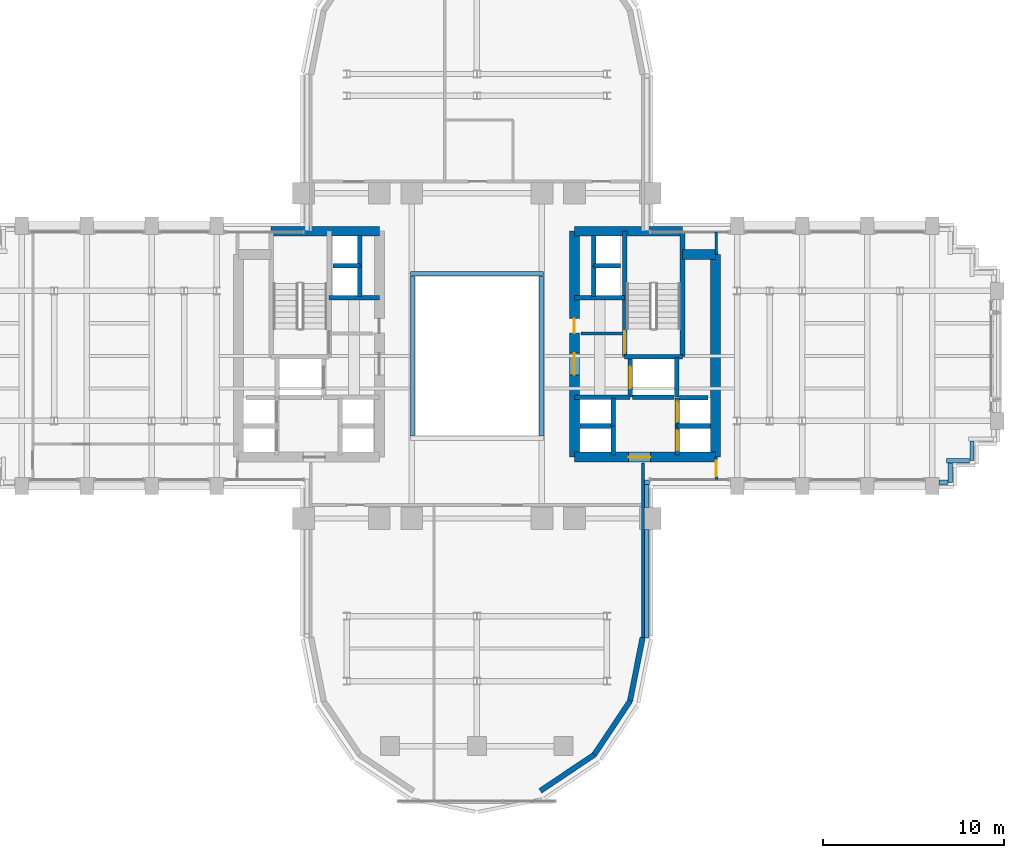
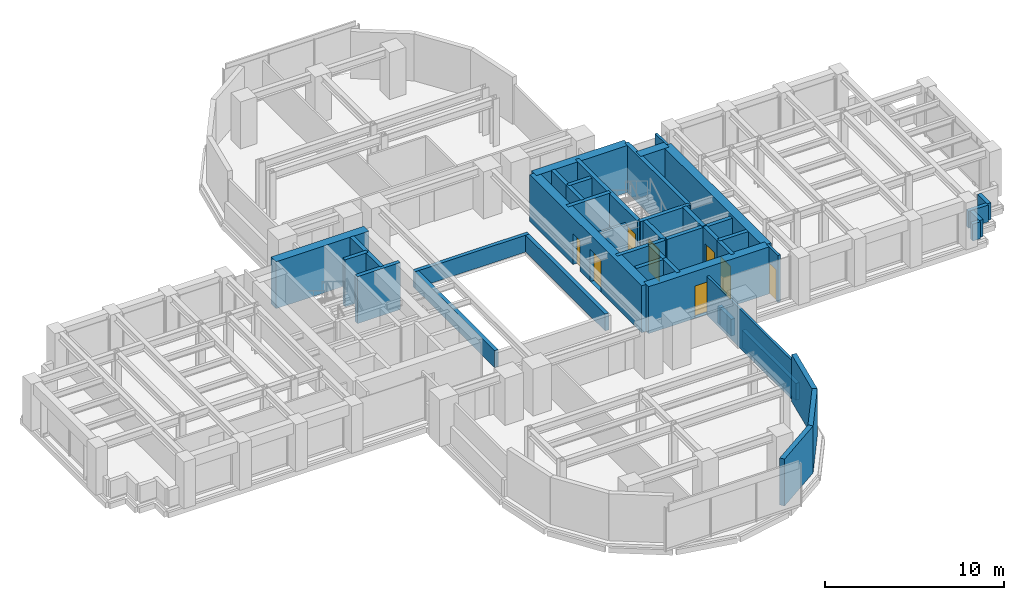
# One storey, part 11 of 16: 45 walls, 8 doors, 8 openings.
"""IFC4 building model written with IfcOpenShell, lengths in metres."""

from ifc_helpers import new_model, si_unit, direction, frame, frame_2d, origin, place, context, subcontext, project, spatial, rectangle, extrude, source, transform, mapped, material, layer, layer_set, type_object, element, fill, save


model = new_model("IFC4")

# Units and contexts
model_context = context("Model", 3, precision=1e-05, world=origin(), true_north=direction((0.0, 1.0)))
body_context = subcontext(model_context, "Body", "Model", "MODEL_VIEW")
ifc_project = project(units=[si_unit("LENGTHUNIT", "METRE"), si_unit("AREAUNIT", "SQUARE_METRE"), si_unit("VOLUMEUNIT", "CUBIC_METRE"), si_unit("PLANEANGLEUNIT", "RADIAN"), si_unit("MASSUNIT", "GRAM", prefix="KILO")], contexts=[model_context])

# Site, building, storey
site_placement = place(None, origin())
site = spatial("IfcSite", under=ifc_project, at=site_placement, CompositionType="ELEMENT")
building_placement = place(site_placement, origin())
building = spatial("IfcBuilding", under=site, at=building_placement, Name="Keilestroom Media Tower", CompositionType="ELEMENT")
storey_placement = place(building_placement, frame((0.0, 0.0, 37.39990234375)))
storey = spatial("IfcBuildingStorey", under=building, at=storey_placement, Name="L08", CompositionType="ELEMENT", Elevation=37.39990234375)

# Walls
ifc_material_1 = material(Name="Precast concrete C40/50", Category="concrete")
ifc_layer_1 = layer(ifc_material_1, 0.300048828125)
ifc_layer_set_1 = layer_set([ifc_layer_1], Name="Precast concrete C40/50")
wall_type_1 = type_object("IfcWallType", Name="Exterior-Masonry-Spandrel-Wall-300", PredefinedType="SOLIDWALL", material=ifc_layer_set_1)
wall_1_placement = place(storey_placement, frame((3.510009765625, -24.073486328125, 0.0), z_axis=(0.0, 0.0, 1.0), x_axis=(0.8314749531, 0.555562239868, 0.0)))
element("IfcWall", 1, at=wall_1_placement, inside=storey, type_object=wall_type_1, Name="L08 Lobe Facet Precast Frame Wall 10", PredefinedType="SOLIDWALL", context=body_context, shape_type="SweptSolid", body=[
    extrude(rectangle(XDim=3.59326171875, YDim=0.300048828125, at=frame_2d((1.796630859375, 0.0))), origin(), (0.0, 0.0, 1.0), 3.2001953125),
])
for number, where, z_axis, x_axis, name in (
    (2, (6.47705078125, -22.097900390625, 0.0), (0.0, 0.0, 1.0), (0.555574187116, 0.831466970246, 0.0), "L08 Lobe Facet Precast Frame Wall 11"),
    (3, (8.470703125, -19.12451171875, 0.0), (0.0, 0.0, 1.0), (0.195114232679, 0.980780523974, 0.0), "L08 Lobe Facet Precast Frame Wall 12"),
):
    element("IfcWall", number, at=place(storey_placement, frame(where, z_axis=z_axis, x_axis=x_axis)), inside=storey, type_object=wall_type_1, Name=name, PredefinedType="SOLIDWALL", context=body_context, shape_type="SweptSolid", body=[
        extrude(rectangle(XDim=3.608642578125, YDim=0.300048828125, at=frame_2d((1.80419921875, 0.0))), origin(), (0.0, 0.0, 1.0), 3.2001953125),
    ])
ifc_material_2 = material(Name="Gypsum Plasterboard & Steel Stud", Category="steel")
ifc_layer_2 = layer(ifc_material_2, 0.14990234375)
ifc_layer_set_2 = layer_set([ifc_layer_2], Name="Gypsum Plasterboard & Steel Stud")
wall_type_2 = type_object("IfcWallType", Name="Interior-Partition-Wall-150", PredefinedType="PARTITIONING", material=ifc_layer_set_2)
wall_2_placement = place(storey_placement, frame((5.75, 1.239990234375, 0.0), z_axis=(0.0, 0.0, 1.0), x_axis=(1.0, 0.0, 0.0)))
element("IfcWall", 4, at=wall_2_placement, inside=storey, type_object=wall_type_2, Name="L08 Interior Wall WP-L08-FFE-TOP", PredefinedType="PARTITIONING", context=body_context, shape_type="SweptSolid", body=[
    extrude(rectangle(XDim=2.389892578125, YDim=0.14990234375, at=frame_2d((1.19482421875, 0.0))), origin(), (0.0, 0.0, 1.0), 2.300048828125),
])
wall_3_placement = place(storey_placement, frame((9.199951171875, -15.679931640625, 0.0), z_axis=(0.0, 0.0, 1.0), x_axis=(0.0, 1.0, 0.0)))
element("IfcWall", 5, at=wall_3_placement, inside=storey, type_object=wall_type_2, Name="L08 Interior Wall WP-L08-SL-CHKE", PredefinedType="PARTITIONING", context=body_context, shape_type="SweptSolid", body=[
    extrude(rectangle(XDim=9.739990234375, YDim=0.14990234375, at=frame_2d((4.8701171875, 0.0))), origin(), (0.0, 0.0, 1.0), 2.650146484375),
])
wall_4_placement = place(storey_placement, frame((13.260009765625, 5.60009765625, 0.0), z_axis=(0.0, 0.0, 1.0), x_axis=(-0.016013571389, 0.999871774545, 0.0)))
element("IfcWall", 6, at=wall_4_placement, inside=storey, type_object=wall_type_2, Name="L08 Interior Wall WP-L08-EA-ENTN", PredefinedType="PARTITIONING", context=body_context, shape_type="SweptSolid", body=[
    extrude(rectangle(XDim=1.250244140625, YDim=0.14990234375, at=frame_2d((0.625, 0.0))), origin(), (0.0, 0.0, 1.0), 3.2001953125),
])

# Wall, opening, door
wall_5_placement = place(storey_placement, frame((13.260009765625, -6.85009765625, 0.0), z_axis=(0.0, 0.0, 1.0), x_axis=(-0.016013571389, 0.999871774545, 0.0)))
wall_5 = element("IfcWall", 7, at=wall_5_placement, inside=storey, type_object=wall_type_2, Name="L08 Interior Wall WP-L08-EA-ENTS", PredefinedType="PARTITIONING", context=body_context, shape_type="SweptSolid", body=[
    extrude(rectangle(XDim=1.250244140625, YDim=0.14990234375, at=frame_2d((0.625, 0.0))), origin(), (0.0, 0.0, 1.0), 3.2001953125),
])
opening_1_placement = place(wall_5_placement, frame((0.199951171875, 0.0, 0.0)))
opening_1 = element("IfcOpeningElement", 8, at=opening_1_placement, cuts=wall_5, Name="Opening DI-05", PredefinedType="OPENING", context=body_context, shape_type="SweptSolid", body=[
    extrude(rectangle(XDim=0.85009765625, YDim=2.10009765625, at=frame_2d((0.425048828125, 1.050048828125))), frame((0.0, 0.0849609375, 0.0), z_axis=(0.0, -1.0, 0.0), x_axis=(1.0, 0.0, 0.0)), (0.0, 0.0, 1.0), 0.169921875),
])
ifc_material_3 = material(Name="Moisture-Resistant Oak Leaf", Category="wood")
door_type_1 = type_object("IfcDoorType", Name="Interior-En-Suite-And-Cupboard-Door-DI-05", OperationType="NOTDEFINED", PredefinedType="DOOR", material=ifc_material_3)
shared_shape_1 = source(origin(), body_context, "Body", "SweptSolid", [
    extrude(rectangle(XDim=0.85009765625, YDim=2.10009765625, at=frame_2d((0.425048828125, 1.050048828125))), frame((0.0, 0.02490234375, 0.0), z_axis=(0.0, -1.0, 0.0), x_axis=(1.0, 0.0, 0.0)), (0.0, 0.0, 1.0), 0.050048828125),
])
door_1_placement = place(opening_1_placement, origin())
door_1 = element("IfcDoor", 9, at=door_1_placement, inside=storey, type_object=door_type_1, Name="L08 Interior Door DI-L08-DEA-S", OperationType="SINGLE_SWING_RIGHT", OverallHeight=2.10009765625, OverallWidth=0.85009765625, PredefinedType="DOOR", context=body_context, shape_type="MappedRepresentation", body=[
    mapped(shared_shape_1, transform((0.0, 0.0, 0.0), x_axis=(1.0, 0.0, 0.0), y_axis=(0.0, 1.0, 0.0), z_axis=(0.0, 0.0, 1.0), scale=1.0)),
])
fill(opening_1, door_1)

# Walls
ifc_material_4 = material(Name="Concrete C70/85", Category="concrete")
ifc_layer_3 = layer(ifc_material_4, 0.550048828125)
ifc_layer_set_3 = layer_set([ifc_layer_3], Name="Concrete C70/85")
wall_type_3 = type_object("IfcWallType", Name="Reinforced-Concrete-Core-Shear-Wall-550", PredefinedType="SHEAR", material=ifc_layer_set_3)
wall_6_placement = place(storey_placement, frame((-11.381103515625, 6.89990234375, 0.0), z_axis=(0.0, 0.0, 1.0), x_axis=(1.0, 0.0, 0.0)))
element("IfcWall", 10, at=wall_6_placement, inside=storey, type_object=wall_type_3, Name="L08 Core Shear Wall WL-L08-CORE-W-N", PredefinedType="SHEAR", context=body_context, shape_type="SweptSolid", body=[
    extrude(rectangle(XDim=5.981201171875, YDim=0.550048828125, at=frame_2d((2.99072265625, 0.0))), origin(), (0.0, 0.0, 1.0), 3.2001953125),
])
wall_7_placement = place(storey_placement, frame((13.199951171875, -5.60009765625, 0.0), z_axis=(0.0, 0.0, 1.0), x_axis=(0.0, 1.0, 0.0)))
element("IfcWall", 11, at=wall_7_placement, inside=storey, type_object=wall_type_3, Name="L08 Core Shear Wall WL-L08-CORE-E-OUT", PredefinedType="SHEAR", context=body_context, shape_type="SweptSolid", body=[
    extrude(rectangle(XDim=11.2001953125, YDim=0.550048828125, at=frame_2d((5.60009765625, 0.0))), origin(), (0.0, 0.0, 1.0), 3.2001953125),
])

# Wall, openings, doors
wall_8_placement = place(storey_placement, frame((5.39990234375, -5.60009765625, 0.0), z_axis=(0.0, 0.0, 1.0), x_axis=(0.0, 1.0, 0.0)))
wall_8 = element("IfcWall", 12, at=wall_8_placement, inside=storey, type_object=wall_type_3, Name="L08 Core Shear Wall WL-L08-CORE-E-IN", PredefinedType="SHEAR", context=body_context, shape_type="SweptSolid", body=[
    extrude(rectangle(XDim=12.5, YDim=0.550048828125, at=frame_2d((6.25, 0.0))), origin(), (0.0, 0.0, 1.0), 3.2001953125),
])
opening_2_placement = place(wall_8_placement, frame((4.550048828125, 0.0, 0.0)))
opening_2 = element("IfcOpeningElement", 13, at=opening_2_placement, cuts=wall_8, Name="Opening DI-02", PredefinedType="OPENING", context=body_context, shape_type="SweptSolid", body=[
    extrude(rectangle(XDim=1.199951171875, YDim=2.199951171875, at=frame_2d((0.60009765625, 1.10009765625))), frame((0.0, 0.28515625, 0.0), z_axis=(0.0, -1.0, 0.0), x_axis=(1.0, 0.0, 0.0)), (0.0, 0.0, 1.0), 0.570068359375),
])
opening_3_placement = place(wall_8_placement, frame((6.860107421875, 0.0, 0.0)))
opening_3 = element("IfcOpeningElement", 14, at=opening_3_placement, cuts=wall_8, Name="Opening DI-06", PredefinedType="OPENING", context=body_context, shape_type="SweptSolid", body=[
    extrude(rectangle(XDim=0.800048828125, YDim=2.10009765625, at=frame_2d((0.39990234375, 1.050048828125))), frame((0.0, 0.28515625, 0.0), z_axis=(0.0, -1.0, 0.0), x_axis=(1.0, 0.0, 0.0)), (0.0, 0.0, 1.0), 0.570068359375),
])
ifc_material_5 = material(Name="Powder-Coated Steel Fire Leaf", Category="steel")
door_type_2 = type_object("IfcDoorType", Name="Interior-Compartment-Fire-Door-DI-02", OperationType="NOTDEFINED", PredefinedType="DOOR", material=ifc_material_5)
shared_shape_2 = source(origin(), body_context, "Body", "SweptSolid", [
    extrude(rectangle(XDim=1.199951171875, YDim=2.199951171875, at=frame_2d((0.60009765625, 1.10009765625))), frame((0.0, 0.02490234375, 0.0), z_axis=(0.0, -1.0, 0.0), x_axis=(1.0, 0.0, 0.0)), (0.0, 0.0, 1.0), 0.050048828125),
])
door_2_placement = place(opening_2_placement, origin())
door_2 = element("IfcDoor", 15, at=door_2_placement, inside=storey, type_object=door_type_2, Name="L08 E Firefighting Lobby Door", OperationType="SINGLE_SWING_LEFT", OverallHeight=2.199951171875, OverallWidth=1.199951171875, PredefinedType="DOOR", context=body_context, shape_type="MappedRepresentation", body=[
    mapped(shared_shape_2, transform((0.0, 0.0, 0.0), x_axis=(1.0, 0.0, 0.0), y_axis=(0.0, 1.0, 0.0), z_axis=(0.0, 0.0, 1.0), scale=1.0)),
])
fill(opening_2, door_2)
ifc_material_6 = material(Name="Powder-Coated Steel Service Leaf", Category="steel")
door_type_3 = type_object("IfcDoorType", Name="Interior-Riser-Access-Door-DI-06", OperationType="NOTDEFINED", PredefinedType="DOOR", material=ifc_material_6)
shared_shape_3 = source(origin(), body_context, "Body", "SweptSolid", [
    extrude(rectangle(XDim=0.800048828125, YDim=2.10009765625, at=frame_2d((0.39990234375, 1.050048828125))), frame((0.0, 0.02490234375, 0.0), z_axis=(0.0, -1.0, 0.0), x_axis=(1.0, 0.0, 0.0)), (0.0, 0.0, 1.0), 0.050048828125),
])
door_3_placement = place(opening_3_placement, origin())
door_3 = element("IfcDoor", 16, at=door_3_placement, inside=storey, type_object=door_type_3, Name="L08 East Core Telecom Door", OperationType="SINGLE_SWING_RIGHT", OverallHeight=2.10009765625, OverallWidth=0.800048828125, PredefinedType="DOOR", context=body_context, shape_type="MappedRepresentation", body=[
    mapped(shared_shape_3, transform((0.0, 0.0, 0.0), x_axis=(1.0, 0.0, 0.0), y_axis=(0.0, 1.0, 0.0), z_axis=(0.0, 0.0, 1.0), scale=1.0)),
])
fill(opening_3, door_3)

# Walls
wall_9_placement = place(storey_placement, frame((5.39990234375, 6.89990234375, 0.0), z_axis=(0.0, 0.0, 1.0), x_axis=(1.0, 0.0, 0.0)))
element("IfcWall", 17, at=wall_9_placement, inside=storey, type_object=wall_type_3, Name="L08 Core Shear Wall WL-L08-CORE-E-N", PredefinedType="SHEAR", context=body_context, shape_type="SweptSolid", body=[
    extrude(rectangle(XDim=5.981201171875, YDim=0.550048828125, at=frame_2d((2.99072265625, 0.0))), origin(), (0.0, 0.0, 1.0), 3.2001953125),
])
wall_10_placement = place(storey_placement, frame((11.381103515625, 5.60009765625, 0.0), z_axis=(0.0, 0.0, 1.0), x_axis=(1.0, 0.0, 0.0)))
element("IfcWall", 18, at=wall_10_placement, inside=storey, type_object=wall_type_3, Name="L08 Core Shear Wall WL-L08-CNE-N", PredefinedType="SHEAR", context=body_context, shape_type="SweptSolid", body=[
    extrude(rectangle(XDim=1.81884765625, YDim=0.550048828125, at=frame_2d((0.909423828125, 0.0))), origin(), (0.0, 0.0, 1.0), 3.2001953125),
])

# Wall, opening, door
wall_11_placement = place(storey_placement, frame((5.39990234375, -5.60009765625, 0.0), z_axis=(0.0, 0.0, 1.0), x_axis=(1.0, 0.0, 0.0)))
wall_11 = element("IfcWall", 19, at=wall_11_placement, inside=storey, type_object=wall_type_3, Name="L08 Core Shear Wall WL-L08-CORE-E-S", PredefinedType="SHEAR", context=body_context, shape_type="SweptSolid", body=[
    extrude(rectangle(XDim=7.800048828125, YDim=0.550048828125, at=frame_2d((3.89990234375, 0.0))), origin(), (0.0, 0.0, 1.0), 3.2001953125),
])
opening_4_placement = place(wall_11_placement, frame((3.0, 0.0, 0.0)))
opening_4 = element("IfcOpeningElement", 20, at=opening_4_placement, cuts=wall_11, Name="Opening DI-02", PredefinedType="OPENING", context=body_context, shape_type="SweptSolid", body=[
    extrude(rectangle(XDim=1.199951171875, YDim=2.199951171875, at=frame_2d((0.60009765625, 1.10009765625))), frame((0.0, 0.28515625, 0.0), z_axis=(0.0, -1.0, 0.0), x_axis=(1.0, 0.0, 0.0)), (0.0, 0.0, 1.0), 0.570068359375),
])
door_4_placement = place(opening_4_placement, origin())
door_4 = element("IfcDoor", 21, at=door_4_placement, inside=storey, type_object=door_type_2, Name="L08 E Passenger Lift Lobby Door", OperationType="SINGLE_SWING_RIGHT", OverallHeight=2.199951171875, OverallWidth=1.199951171875, PredefinedType="DOOR", context=body_context, shape_type="MappedRepresentation", body=[
    mapped(shared_shape_2, transform((0.0, 0.0, 0.0), x_axis=(1.0, 0.0, 0.0), y_axis=(0.0, 1.0, 0.0), z_axis=(0.0, 0.0, 1.0), scale=1.0)),
])
fill(opening_4, door_4)

# Walls
ifc_material_7 = material(Name="Concrete C50/60", Category="concrete")
ifc_layer_4 = layer(ifc_material_7, 0.25)
ifc_layer_set_4 = layer_set([ifc_layer_4], Name="Concrete C50/60")
wall_type_4 = type_object("IfcWallType", Name="Reinforced-Concrete-Shaft-Wall-250", PredefinedType="SOLIDWALL", material=ifc_layer_set_4)
for number, where, z_axis, x_axis, name in (
    (22, (-8.179931640625, 3.219970703125, 0.0), (0.0, 0.0, 1.0), (1.0, 0.0, 0.0), "L08 Core Shear Wall WL-L08-CORE-W-FFN"),
    (23, (5.39990234375, 3.219970703125, 0.0), (0.0, 0.0, 1.0), (1.0, 0.0, 0.0), "L08 Core Shear Wall WL-L08-CORE-E-FFN"),
):
    element("IfcWall", number, at=place(storey_placement, frame(where, z_axis=z_axis, x_axis=x_axis)), inside=storey, type_object=wall_type_4, Name=name, PredefinedType="SOLIDWALL", context=body_context, shape_type="SweptSolid", body=[
        extrude(rectangle(XDim=2.780029296875, YDim=0.25, at=frame_2d((1.39013671875, 0.0))), origin(), (0.0, 0.0, 1.0), 3.2001953125),
    ])
wall_12_placement = place(storey_placement, frame((5.39990234375, -2.300048828125, 0.0), z_axis=(0.0, 0.0, 1.0), x_axis=(1.0, 0.0, 0.0)))
element("IfcWall", 24, at=wall_12_placement, inside=storey, type_object=wall_type_4, Name="L08 Core Shear Wall WL-L08-CORE-E-FFS", PredefinedType="SOLIDWALL", context=body_context, shape_type="SweptSolid", body=[
    extrude(rectangle(XDim=3.080078125, YDim=0.25, at=frame_2d((1.5400390625, 0.0))), origin(), (0.0, 0.0, 1.0), 3.2001953125),
])

# Wall, opening, door
wall_13_placement = place(storey_placement, frame((8.178955078125, -0.041015625, 0.0), z_axis=(0.0, 0.0, 1.0), x_axis=(0.0, 1.0, 0.0)))
wall_13 = element("IfcWall", 25, at=wall_13_placement, inside=storey, type_object=wall_type_4, Name="L08 Core Shear Wall WL-L08-STW-E-NEAR", PredefinedType="SOLIDWALL", context=body_context, shape_type="SweptSolid", body=[
    extrude(rectangle(XDim=6.94091796875, YDim=0.25, at=frame_2d((3.470458984375, 0.0))), origin(), (0.0, 0.0, 1.0), 3.2001953125),
])
opening_5_placement = place(wall_13_placement, frame((0.199951171875, 0.0, 0.0)))
opening_5 = element("IfcOpeningElement", 26, at=opening_5_placement, cuts=wall_13, Name="Opening DI-01S", PredefinedType="OPENING", context=body_context, shape_type="SweptSolid", body=[
    extrude(rectangle(XDim=1.199951171875, YDim=2.199951171875, at=frame_2d((0.60009765625, 1.10009765625))), frame((0.0, 0.135009765625, 0.0), z_axis=(0.0, -1.0, 0.0), x_axis=(1.0, 0.0, 0.0)), (0.0, 0.0, 1.0), 0.27001953125),
])
door_type_4 = type_object("IfcDoorType", Name="Interior-Stair-And-Core-Fire-Door-DI-01", OperationType="NOTDEFINED", PredefinedType="DOOR", material=ifc_material_5)
door_5_placement = place(opening_5_placement, origin())
door_5 = element("IfcDoor", 27, at=door_5_placement, inside=storey, type_object=door_type_4, Name="L08 Escape Stair ST-2 Fire Door", OperationType="SINGLE_SWING_RIGHT", OverallHeight=2.199951171875, OverallWidth=1.199951171875, PredefinedType="DOOR", context=body_context, shape_type="MappedRepresentation", body=[
    mapped(shared_shape_2, transform((0.0, 0.0, 0.0), x_axis=(1.0, 0.0, 0.0), y_axis=(0.0, 1.0, 0.0), z_axis=(0.0, 0.0, 1.0), scale=1.0)),
])
fill(opening_5, door_5)

# Walls
wall_14_placement = place(storey_placement, frame((11.381103515625, -0.041015625, 0.0), z_axis=(0.0, 0.0, 1.0), x_axis=(0.0, 1.0, 0.0)))
element("IfcWall", 28, at=wall_14_placement, inside=storey, type_object=wall_type_4, Name="L08 Core Shear Wall WL-L08-STW-E-FAR", PredefinedType="SOLIDWALL", context=body_context, shape_type="SweptSolid", body=[
    extrude(rectangle(XDim=6.94091796875, YDim=0.25, at=frame_2d((3.470458984375, 0.0))), origin(), (0.0, 0.0, 1.0), 3.2001953125),
])
wall_15_placement = place(storey_placement, frame((8.178955078125, -0.041015625, 0.0), z_axis=(0.0, 0.0, 1.0), x_axis=(1.0, 0.0, 0.0)))
element("IfcWall", 29, at=wall_15_placement, inside=storey, type_object=wall_type_4, Name="L08 Core Shear Wall WL-L08-STW-E-S", PredefinedType="SOLIDWALL", context=body_context, shape_type="SweptSolid", body=[
    extrude(rectangle(XDim=3.2021484375, YDim=0.25, at=frame_2d((1.60107421875, 0.0))), origin(), (0.0, 0.0, 1.0), 3.2001953125),
])

# Wall, opening, door
wall_16_placement = place(storey_placement, frame((8.47998046875, -2.280029296875, 0.0), z_axis=(0.0, 0.0, 1.0), x_axis=(0.0, 1.0, 0.0)))
wall_16 = element("IfcWall", 30, at=wall_16_placement, inside=storey, type_object=wall_type_4, Name="L08 Core Shear Wall WL-L08-LSH-FFL-2-W", PredefinedType="SOLIDWALL", context=body_context, shape_type="SweptSolid", body=[
    extrude(rectangle(XDim=2.179931640625, YDim=0.25, at=frame_2d((1.08984375, 0.0))), origin(), (0.0, 0.0, 1.0), 3.2001953125),
])
opening_6_placement = place(wall_16_placement, frame((0.489990234375, 0.0, 0.0)))
opening_6 = element("IfcOpeningElement", 31, at=opening_6_placement, cuts=wall_16, Name="Opening LD-02", PredefinedType="OPENING", context=body_context, shape_type="SweptSolid", body=[
    extrude(rectangle(XDim=1.199951171875, YDim=2.199951171875, at=frame_2d((0.60009765625, 1.10009765625))), frame((0.0, 0.135009765625, 0.0), z_axis=(0.0, -1.0, 0.0), x_axis=(1.0, 0.0, 0.0)), (0.0, 0.0, 1.0), 0.27001953125),
])
ifc_material_8 = material(Name="Brushed Stainless Steel Sliding Leaf", Category="steel")
door_type_5 = type_object("IfcDoorType", Name="Lift-Landing-Sliding-Door-LD-02", OperationType="SLIDING_TO_RIGHT", PredefinedType="DOOR", material=ifc_material_8)
door_6_placement = place(opening_6_placement, origin())
door_6 = element("IfcDoor", 32, at=door_6_placement, inside=storey, type_object=door_type_5, Name="L08 Lift FFL-2 Landing Sliding Door", OperationType="SLIDING_TO_RIGHT", OverallHeight=2.199951171875, OverallWidth=1.199951171875, PredefinedType="DOOR", context=body_context, shape_type="MappedRepresentation", body=[
    mapped(shared_shape_2, transform((0.0, 0.0, 0.0), x_axis=(1.0, 0.0, 0.0), y_axis=(0.0, 1.0, 0.0), z_axis=(0.0, 0.0, 1.0), scale=1.0)),
])
fill(opening_6, door_6)

# Walls
wall_17_placement = place(storey_placement, frame((11.050048828125, -2.280029296875, 0.0), z_axis=(0.0, 0.0, 1.0), x_axis=(0.0, 1.0, 0.0)))
element("IfcWall", 33, at=wall_17_placement, inside=storey, type_object=wall_type_4, Name="L08 Core Shear Wall WL-L08-LSH-FFL-2-E", PredefinedType="SOLIDWALL", context=body_context, shape_type="SweptSolid", body=[
    extrude(rectangle(XDim=2.179931640625, YDim=0.25, at=frame_2d((1.08984375, 0.0))), origin(), (0.0, 0.0, 1.0), 3.2001953125),
])
wall_18_placement = place(storey_placement, frame((8.60888671875, -2.280029296875, 0.0), z_axis=(0.0, 0.0, 1.0), x_axis=(1.0, 0.0, 0.0)))
element("IfcWall", 34, at=wall_18_placement, inside=storey, type_object=wall_type_4, Name="L08 Core Shear Wall WL-L08-LSH-FFL-2-S", PredefinedType="SOLIDWALL", context=body_context, shape_type="SweptSolid", body=[
    extrude(rectangle(XDim=2.31201171875, YDim=0.25, at=frame_2d((1.156005859375, 0.0))), origin(), (0.0, 0.0, 1.0), 3.2001953125),
])

# Wall, opening, door
wall_19_placement = place(storey_placement, frame((11.080078125, -5.47998046875, 0.0), z_axis=(0.0, 0.0, 1.0), x_axis=(0.0, 1.0, 0.0)))
wall_19 = element("IfcWall", 35, at=wall_19_placement, inside=storey, type_object=wall_type_4, Name="L08 Core Shear Wall WL-L08-LSH-PL-L3-W", PredefinedType="SOLIDWALL", context=body_context, shape_type="SweptSolid", body=[
    extrude(rectangle(XDim=1.60009765625, YDim=0.25, at=frame_2d((0.800048828125, 0.0))), origin(), (0.0, 0.0, 1.0), 3.2001953125),
])
opening_7_placement = place(wall_19_placement, frame((0.25, 0.0, 0.0)))
opening_7 = element("IfcOpeningElement", 36, at=opening_7_placement, cuts=wall_19, Name="Opening LD-01", PredefinedType="OPENING", context=body_context, shape_type="SweptSolid", body=[
    extrude(rectangle(XDim=1.10009765625, YDim=2.199951171875, at=frame_2d((0.550048828125, 1.10009765625))), frame((0.0, 0.135009765625, 0.0), z_axis=(0.0, -1.0, 0.0), x_axis=(1.0, 0.0, 0.0)), (0.0, 0.0, 1.0), 0.27001953125),
])
door_type_6 = type_object("IfcDoorType", Name="Lift-Landing-Sliding-Door-LD-01", OperationType="SLIDING_TO_LEFT", PredefinedType="DOOR", material=ifc_material_8)
shared_shape_4 = source(origin(), body_context, "Body", "SweptSolid", [
    extrude(rectangle(XDim=1.10009765625, YDim=2.199951171875, at=frame_2d((0.550048828125, 1.10009765625))), frame((0.0, 0.02490234375, 0.0), z_axis=(0.0, -1.0, 0.0), x_axis=(1.0, 0.0, 0.0)), (0.0, 0.0, 1.0), 0.050048828125),
])
door_7_placement = place(opening_7_placement, origin())
door_7 = element("IfcDoor", 37, at=door_7_placement, inside=storey, type_object=door_type_6, Name="L08 Lift PL-L3 Landing Sliding Door", OperationType="SLIDING_TO_LEFT", OverallHeight=2.199951171875, OverallWidth=1.10009765625, PredefinedType="DOOR", context=body_context, shape_type="MappedRepresentation", body=[
    mapped(shared_shape_4, transform((0.0, 0.0, 0.0), x_axis=(1.0, 0.0, 0.0), y_axis=(0.0, 1.0, 0.0), z_axis=(0.0, 0.0, 1.0), scale=1.0)),
])
fill(opening_7, door_7)

# Wall
wall_20_placement = place(storey_placement, frame((11.080078125, -3.8798828125, 0.0), z_axis=(0.0, 0.0, 1.0), x_axis=(1.0, 0.0, 0.0)))
element("IfcWall", 38, at=wall_20_placement, inside=storey, type_object=wall_type_4, Name="L08 Core Shear Wall WL-L08-LSH-PL-L3-N", PredefinedType="SOLIDWALL", context=body_context, shape_type="SweptSolid", body=[
    extrude(rectangle(XDim=1.83984375, YDim=0.25, at=frame_2d((0.919921875, 0.0))), origin(), (0.0, 0.0, 1.0), 3.2001953125),
])

# Wall, opening, door
wall_21_placement = place(storey_placement, frame((11.080078125, -3.8798828125, 0.0), z_axis=(0.0, 0.0, 1.0), x_axis=(0.0, 1.0, 0.0)))
wall_21 = element("IfcWall", 39, at=wall_21_placement, inside=storey, type_object=wall_type_4, Name="L08 Core Shear Wall WL-L08-LSH-PL-L4-W", PredefinedType="SOLIDWALL", context=body_context, shape_type="SweptSolid", body=[
    extrude(rectangle(XDim=1.559814453125, YDim=0.25, at=frame_2d((0.77978515625, 0.0))), origin(), (0.0, 0.0, 1.0), 3.2001953125),
])
opening_8_placement = place(wall_21_placement, frame((0.22998046875, 0.0, 0.0)))
opening_8 = element("IfcOpeningElement", 40, at=opening_8_placement, cuts=wall_21, Name="Opening LD-01", PredefinedType="OPENING", context=body_context, shape_type="SweptSolid", body=[
    extrude(rectangle(XDim=1.10009765625, YDim=2.199951171875, at=frame_2d((0.550048828125, 1.10009765625))), frame((0.0, 0.135009765625, 0.0), z_axis=(0.0, -1.0, 0.0), x_axis=(1.0, 0.0, 0.0)), (0.0, 0.0, 1.0), 0.27001953125),
])
door_8_placement = place(opening_8_placement, origin())
door_8 = element("IfcDoor", 41, at=door_8_placement, inside=storey, type_object=door_type_6, Name="L08 Lift PL-L4 Landing Sliding Door", OperationType="SLIDING_TO_LEFT", OverallHeight=2.199951171875, OverallWidth=1.10009765625, PredefinedType="DOOR", context=body_context, shape_type="MappedRepresentation", body=[
    mapped(shared_shape_4, transform((0.0, 0.0, 0.0), x_axis=(1.0, 0.0, 0.0), y_axis=(0.0, 1.0, 0.0), z_axis=(0.0, 0.0, 1.0), scale=1.0)),
])
fill(opening_8, door_8)

# Walls
wall_22_placement = place(storey_placement, frame((11.208984375, -2.320068359375, 0.0), z_axis=(0.0, 0.0, 1.0), x_axis=(1.0, 0.0, 0.0)))
element("IfcWall", 42, at=wall_22_placement, inside=storey, type_object=wall_type_4, Name="L08 Core Shear Wall WL-L08-LSH-PL-L4-N", PredefinedType="SOLIDWALL", context=body_context, shape_type="SweptSolid", body=[
    extrude(rectangle(XDim=1.58203125, YDim=0.25, at=frame_2d((0.791015625, 0.0))), origin(), (0.0, 0.0, 1.0), 3.2001953125),
])
wall_23_placement = place(storey_placement, frame((7.56005859375, -5.47998046875, 0.0), z_axis=(0.0, 0.0, 1.0), x_axis=(0.0, 1.0, 0.0)))
element("IfcWall", 43, at=wall_23_placement, inside=storey, type_object=wall_type_4, Name="L08 Core Shear Wall WL-L08-LSH-PL-M3-E", PredefinedType="SOLIDWALL", context=body_context, shape_type="SweptSolid", body=[
    extrude(rectangle(XDim=1.60009765625, YDim=0.25, at=frame_2d((0.800048828125, 0.0))), origin(), (0.0, 0.0, 1.0), 3.2001953125),
])
wall_24_placement = place(storey_placement, frame((5.719970703125, -3.8798828125, 0.0), z_axis=(0.0, 0.0, 1.0), x_axis=(1.0, 0.0, 0.0)))
element("IfcWall", 44, at=wall_24_placement, inside=storey, type_object=wall_type_4, Name="L08 Core Shear Wall WL-L08-LSH-PL-M3-N", PredefinedType="SOLIDWALL", context=body_context, shape_type="SweptSolid", body=[
    extrude(rectangle(XDim=1.840087890625, YDim=0.25, at=frame_2d((0.919921875, 0.0))), origin(), (0.0, 0.0, 1.0), 3.2001953125),
])
wall_25_placement = place(storey_placement, frame((7.56005859375, -3.8798828125, 0.0), z_axis=(0.0, 0.0, 1.0), x_axis=(0.0, 1.0, 0.0)))
element("IfcWall", 45, at=wall_25_placement, inside=storey, type_object=wall_type_4, Name="L08 Core Shear Wall WL-L08-LSH-PL-M4-E", PredefinedType="SOLIDWALL", context=body_context, shape_type="SweptSolid", body=[
    extrude(rectangle(XDim=1.559814453125, YDim=0.25, at=frame_2d((0.77978515625, 0.0))), origin(), (0.0, 0.0, 1.0), 3.2001953125),
])
wall_26_placement = place(storey_placement, frame((-6.47998046875, 3.300048828125, 0.0), z_axis=(0.0, 0.0, 1.0), x_axis=(0.0, 1.0, 0.0)))
element("IfcWall", 46, at=wall_26_placement, inside=storey, type_object=wall_type_4, Name="L08 Core Shear Wall WL-L08-LSH-PL-H1-E", PredefinedType="SOLIDWALL", context=body_context, shape_type="SweptSolid", body=[
    extrude(rectangle(XDim=1.679931640625, YDim=0.25, at=frame_2d((0.83984375, 0.0))), origin(), (0.0, 0.0, 1.0), 3.2001953125),
])
wall_27_placement = place(storey_placement, frame((-7.949951171875, 4.97998046875, 0.0), z_axis=(0.0, 0.0, 1.0), x_axis=(1.0, 0.0, 0.0)))
element("IfcWall", 47, at=wall_27_placement, inside=storey, type_object=wall_type_4, Name="L08 Core Shear Wall WL-L08-LSH-PL-H1-N", PredefinedType="SOLIDWALL", context=body_context, shape_type="SweptSolid", body=[
    extrude(rectangle(XDim=1.469970703125, YDim=0.25, at=frame_2d((0.73486328125, 0.0))), origin(), (0.0, 0.0, 1.0), 3.2001953125),
])
wall_28_placement = place(storey_placement, frame((-6.47998046875, 4.97998046875, 0.0), z_axis=(0.0, 0.0, 1.0), x_axis=(0.0, 1.0, 0.0)))
element("IfcWall", 48, at=wall_28_placement, inside=storey, type_object=wall_type_4, Name="L08 Core Shear Wall WL-L08-LSH-PL-H2-E", PredefinedType="SOLIDWALL", context=body_context, shape_type="SweptSolid", body=[
    extrude(rectangle(XDim=1.669921875, YDim=0.25, at=frame_2d((0.8349609375, 0.0))), origin(), (0.0, 0.0, 1.0), 3.2001953125),
])
wall_29_placement = place(storey_placement, frame((6.47998046875, 3.300048828125, 0.0), z_axis=(0.0, 0.0, 1.0), x_axis=(0.0, 1.0, 0.0)))
element("IfcWall", 49, at=wall_29_placement, inside=storey, type_object=wall_type_4, Name="L08 Core Shear Wall WL-L08-LSH-PL-H3-W", PredefinedType="SOLIDWALL", context=body_context, shape_type="SweptSolid", body=[
    extrude(rectangle(XDim=1.679931640625, YDim=0.25, at=frame_2d((0.83984375, 0.0))), origin(), (0.0, 0.0, 1.0), 3.2001953125),
])
wall_30_placement = place(storey_placement, frame((6.47998046875, 4.97998046875, 0.0), z_axis=(0.0, 0.0, 1.0), x_axis=(1.0, 0.0, 0.0)))
element("IfcWall", 50, at=wall_30_placement, inside=storey, type_object=wall_type_4, Name="L08 Core Shear Wall WL-L08-LSH-PL-H3-N", PredefinedType="SOLIDWALL", context=body_context, shape_type="SweptSolid", body=[
    extrude(rectangle(XDim=1.469970703125, YDim=0.25, at=frame_2d((0.73486328125, 0.0))), origin(), (0.0, 0.0, 1.0), 3.2001953125),
])
wall_31_placement = place(storey_placement, frame((6.47998046875, 4.97998046875, 0.0), z_axis=(0.0, 0.0, 1.0), x_axis=(0.0, 1.0, 0.0)))
element("IfcWall", 51, at=wall_31_placement, inside=storey, type_object=wall_type_4, Name="L08 Core Shear Wall WL-L08-LSH-PL-H4-W", PredefinedType="SOLIDWALL", context=body_context, shape_type="SweptSolid", body=[
    extrude(rectangle(XDim=1.669921875, YDim=0.25, at=frame_2d((0.8349609375, 0.0))), origin(), (0.0, 0.0, 1.0), 3.2001953125),
])
ifc_layer_5 = layer(ifc_material_1, 0.239990234375)
ifc_layer_set_5 = layer_set([ifc_layer_5], Name="Precast concrete C40/50")
wall_type_5 = type_object("IfcWallType", Name="Roof-And-Terrace-Parapet-Wall-240", PredefinedType="PARAPET", material=ifc_layer_set_5)
wall_32_placement = place(storey_placement, frame((27.39990234375, -4.722900390625, 0.0), z_axis=(0.0, 0.0, 1.0), x_axis=(0.0, -1.0, 0.0)))
element("IfcWall", 52, at=wall_32_placement, inside=storey, type_object=wall_type_5, Name="L08 Perimeter Edge Parapet Wall 02", PredefinedType="PARAPET", context=body_context, shape_type="SweptSolid", body=[
    extrude(rectangle(XDim=1.0771484375, YDim=0.239990234375, at=frame_2d((0.53857421875, 0.0))), origin(), (0.0, 0.0, 1.0), 1.150146484375),
])
wall_33_placement = place(storey_placement, frame((27.277099609375, -5.800048828125, 0.0), z_axis=(0.0, 0.0, 1.0), x_axis=(-1.0, 0.0, 0.0)))
element("IfcWall", 53, at=wall_33_placement, inside=storey, type_object=wall_type_5, Name="L08 Perimeter Edge Parapet Wall 03", PredefinedType="PARAPET", context=body_context, shape_type="SweptSolid", body=[
    extrude(rectangle(XDim=1.277099609375, YDim=0.239990234375, at=frame_2d((0.638671875, 0.0))), origin(), (0.0, 0.0, 1.0), 1.150146484375),
])
wall_34_placement = place(storey_placement, frame((26.199951171875, -5.923095703125, 0.0), z_axis=(0.0, 0.0, 1.0), x_axis=(0.0, -1.0, 0.0)))
element("IfcWall", 54, at=wall_34_placement, inside=storey, type_object=wall_type_5, Name="L08 Perimeter Edge Parapet Wall 04", PredefinedType="PARAPET", context=body_context, shape_type="SweptSolid", body=[
    extrude(rectangle(XDim=1.076904296875, YDim=0.239990234375, at=frame_2d((0.53857421875, 0.0))), origin(), (0.0, 0.0, 1.0), 1.150146484375),
])
wall_35_placement = place(storey_placement, frame((26.076904296875, -7.0, 0.0), z_axis=(0.0, 0.0, 1.0), x_axis=(-1.0, 0.0, 0.0)))
element("IfcWall", 55, at=wall_35_placement, inside=storey, type_object=wall_type_5, Name="L08 Perimeter Edge Parapet Wall 05", PredefinedType="PARAPET", context=body_context, shape_type="SweptSolid", body=[
    extrude(rectangle(XDim=0.4990234375, YDim=0.239990234375, at=frame_2d((0.24951171875, 0.0))), origin(), (0.0, 0.0, 1.0), 1.150146484375),
])
wall_36_placement = place(storey_placement, frame((9.547119140625, -7.0, 0.0), z_axis=(0.0, 0.0, 1.0), x_axis=(-1.0, 0.0, 0.0)))
element("IfcWall", 56, at=wall_36_placement, inside=storey, type_object=wall_type_5, Name="L08 Perimeter Edge Parapet Wall 06", PredefinedType="PARAPET", context=body_context, shape_type="SweptSolid", body=[
    extrude(rectangle(XDim=0.26904296875, YDim=0.239990234375, at=frame_2d((0.134521484375, 0.0))), origin(), (0.0, 0.0, 1.0), 1.150146484375),
])
wall_37_placement = place(storey_placement, frame((9.39990234375, -7.123046875, 0.0), z_axis=(0.0, 0.0, 1.0), x_axis=(0.0, -1.0, 0.0)))
element("IfcWall", 57, at=wall_37_placement, inside=storey, type_object=wall_type_5, Name="L08 Perimeter Edge Parapet Wall 07", PredefinedType="PARAPET", context=body_context, shape_type="SweptSolid", body=[
    extrude(rectangle(XDim=1.27392578125, YDim=0.239990234375, at=frame_2d((0.636962890625, 0.0))), origin(), (0.0, 0.0, 1.0), 1.150146484375),
])
wall_38_placement = place(storey_placement, frame((9.39990234375, -9.60302734375, 0.0), z_axis=(0.0, 0.0, 1.0), x_axis=(0.0, -1.0, 0.0)))
element("IfcWall", 58, at=wall_38_placement, inside=storey, type_object=wall_type_5, Name="L08 Perimeter Edge Parapet Wall 08", PredefinedType="PARAPET", context=body_context, shape_type="SweptSolid", body=[
    extrude(rectangle(XDim=5.999755859375, YDim=0.239990234375, at=frame_2d((3.0, 0.0))), origin(), (0.0, 0.0, 1.0), 1.150146484375),
])
wall_39_placement = place(storey_placement, frame((-3.679931640625, 4.56005859375, 0.0), z_axis=(0.0, 0.0, 1.0), x_axis=(1.0, 0.0, 0.0)))
element("IfcWall", 59, at=wall_39_placement, inside=storey, type_object=wall_type_5, Name="L08 Central Atrium Guard Parapet N", PredefinedType="PARAPET", context=body_context, shape_type="SweptSolid", body=[
    extrude(rectangle(XDim=7.35986328125, YDim=0.239990234375, at=frame_2d((3.679931640625, 0.0))), origin(), (0.0, 0.0, 1.0), 1.150146484375),
])
for number, where, z_axis, x_axis, name in (
    (60, (-3.56005859375, -4.43505859375, 0.0), (0.0, 0.0, 1.0), (0.0, 1.0, 0.0), "L08 Central Atrium Guard Parapet W"),
    (61, (3.56005859375, -4.43505859375, 0.0), (0.0, 0.0, 1.0), (0.0, 1.0, 0.0), "L08 Central Atrium Guard Parapet E"),
):
    element("IfcWall", number, at=place(storey_placement, frame(where, z_axis=z_axis, x_axis=x_axis)), inside=storey, type_object=wall_type_5, Name=name, PredefinedType="PARAPET", context=body_context, shape_type="SweptSolid", body=[
        extrude(rectangle(XDim=8.8701171875, YDim=0.239990234375, at=frame_2d((4.43505859375, 0.0))), origin(), (0.0, 0.0, 1.0), 1.150146484375),
    ])

save(model, "model.ifc")
